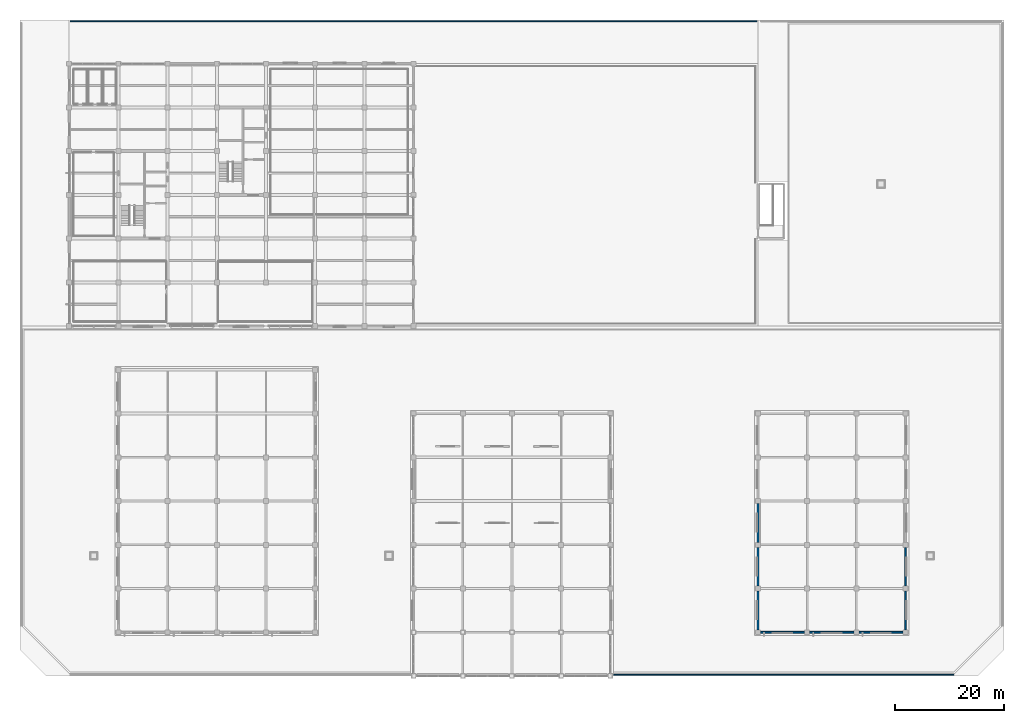
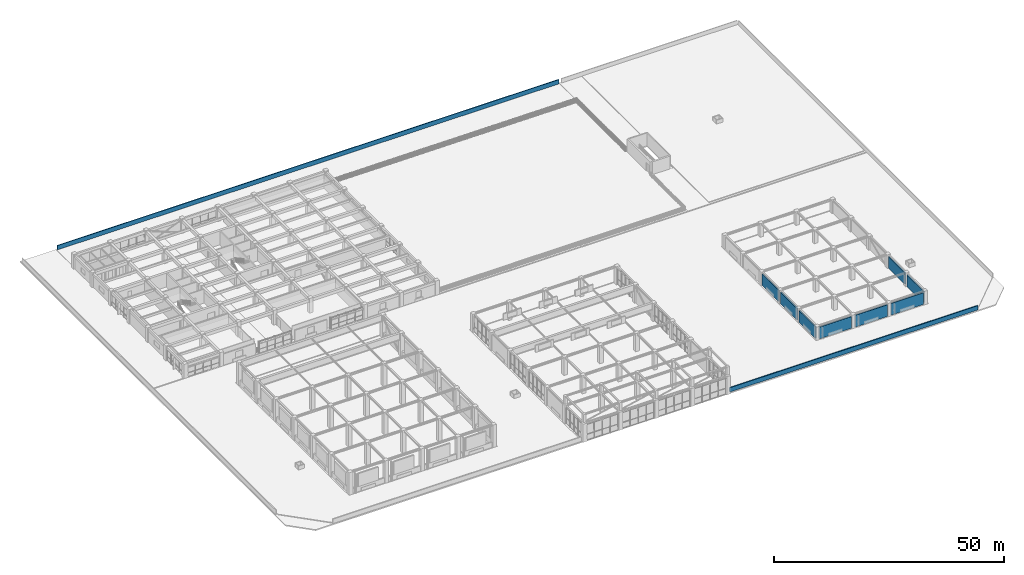
# One storey, part 23 of 34: 10 walls.
"""IFC4 building model written with IfcOpenShell, lengths in metres."""

from ifc_helpers import new_model, si_unit, direction, frame, frame_2d, origin, place, context, subcontext, project, spatial, rectangle, extrude, material, layer, layer_set, type_object, element, save


model = new_model("IFC4")

# Units and contexts
model_context = context("Model", 3, precision=1e-05, world=origin(), true_north=direction((0.0, 1.0)))
body_context = subcontext(model_context, "Body", "Model", "MODEL_VIEW")
ifc_project = project(units=[si_unit("LENGTHUNIT", "METRE"), si_unit("AREAUNIT", "SQUARE_METRE"), si_unit("VOLUMEUNIT", "CUBIC_METRE"), si_unit("PLANEANGLEUNIT", "RADIAN"), si_unit("MASSUNIT", "GRAM", prefix="KILO")], contexts=[model_context])

# Site, building, storey
site_placement = place(None, origin())
site = spatial("IfcSite", under=ifc_project, at=site_placement, CompositionType="ELEMENT")
building_placement = place(site_placement, origin())
building = spatial("IfcBuilding", under=site, at=building_placement, Name="Zaverband Oceanarium and Marine Research Institute", CompositionType="ELEMENT")
storey_placement = place(building_placement, frame((0.0, 0.0, 18.0)))
storey = spatial("IfcBuildingStorey", under=building, at=storey_placement, Name="L04", CompositionType="ELEMENT", Elevation=18.0)

# Walls
ifc_material_1 = material(Name="Concrete C40/50 precast", Category="concrete")
ifc_layer_1 = layer(ifc_material_1, 0.31005859375, Name="Concrete C40/50 precast")
ifc_layer_set_1 = layer_set([ifc_layer_1], Name="Concrete C40/50 precast")
wall_type_1 = type_object("IfcWallType", Name="EW-310", PredefinedType="STANDARD", material=ifc_layer_set_1)
for number, where, z_axis, x_axis, name in (
    (1, (135.4599609375, 8.0, 0.0), (0.0, 0.0, 1.0), (1.0, 0.0, 0.0), "Exterior infill wall EW-310"),
    (2, (144.4599609375, 8.0, 0.0), (0.0, 0.0, 1.0), (1.0, 0.0, 0.0), "Exterior infill wall EW-310"),
    (3, (153.4599609375, 8.0, 0.0), (0.0, 0.0, 1.0), (1.0, 0.0, 0.0), "Exterior infill wall EW-310"),
):
    element("IfcWall", number, at=place(storey_placement, frame(where, z_axis=z_axis, x_axis=x_axis)), inside=storey, type_object=wall_type_1, Name=name, PredefinedType="STANDARD", context=body_context, shape_type="SweptSolid", body=[
        extrude(rectangle(XDim=8.080078125, YDim=0.31005859375, at=frame_2d((4.0400390625, 0.0))), origin(), (0.0, 0.0, 1.0), 3.10009765625),
    ])
for number, where, z_axis, x_axis, name in (
    (4, (135.0, 8.4599609375, 0.0), (0.0, 0.0, 1.0), (0.0, 1.0, 0.0), "Exterior infill wall EW-310"),
    (5, (135.0, 16.4599609375, 0.0), (0.0, 0.0, 1.0), (0.0, 1.0, 0.0), "Exterior infill wall EW-310"),
    (6, (135.0, 24.4599609375, 0.0), (0.0, 0.0, 1.0), (0.0, 1.0, 0.0), "Exterior infill wall EW-310"),
    (7, (162.0, 8.4599609375, 0.0), (0.0, 0.0, 1.0), (0.0, 1.0, 0.0), "Exterior infill wall EW-310"),
    (8, (162.0, 16.4599609375, 0.0), (0.0, 0.0, 1.0), (0.0, 1.0, 0.0), "Exterior infill wall EW-310"),
):
    element("IfcWall", number, at=place(storey_placement, frame(where, z_axis=z_axis, x_axis=x_axis)), inside=storey, type_object=wall_type_1, Name=name, PredefinedType="STANDARD", context=body_context, shape_type="SweptSolid", body=[
        extrude(rectangle(XDim=7.080078125, YDim=0.31005859375, at=frame_2d((3.5400390625, 0.0))), origin(), (0.0, 0.0, 1.0), 3.10009765625),
    ])
ifc_material_2 = material(Name="Concrete C40/50", Category="concrete")
ifc_layer_2 = layer(ifc_material_2, 0.195068359375, Name="Concrete C40/50")
ifc_layer_set_2 = layer_set([ifc_layer_2], Name="Concrete C40/50")
wall_type_2 = type_object("IfcWallType", Name="PAR-195", PredefinedType="PARAPET", material=ifc_layer_set_2)
wall_1_placement = place(storey_placement, frame((9.199951171875, 119.75, 0.0), z_axis=(0.0, 0.0, 1.0), x_axis=(1.0, 0.0, 0.0)))
element("IfcWall", 9, at=wall_1_placement, inside=storey, type_object=wall_type_2, Name="Roof parapet upstand PAR-195", PredefinedType="PARAPET", context=body_context, shape_type="SweptSolid", body=[
    extrude(rectangle(XDim=125.60009765625, YDim=0.195068359375, at=frame_2d((62.800048828125, 0.0))), origin(), (0.0, 0.0, 1.0), 1.14990234375),
])
ifc_layer_3 = layer(ifc_material_2, 0.22998046875, Name="Concrete C40/50")
ifc_layer_set_3 = layer_set([ifc_layer_3], Name="Concrete C40/50")
wall_type_3 = type_object("IfcWallType", Name="PAR-230", PredefinedType="PARAPET", material=ifc_layer_set_3)
wall_2_placement = place(storey_placement, frame((108.60009765625, 0.25, 0.0), z_axis=(0.0, 0.0, 1.0), x_axis=(1.0, 0.0, 0.0)))
element("IfcWall", 10, at=wall_2_placement, inside=storey, type_object=wall_type_3, Name="Roof parapet upstand PAR-230", PredefinedType="PARAPET", context=body_context, shape_type="SweptSolid", body=[
    extrude(rectangle(XDim=62.199951171875, YDim=0.22998046875, at=frame_2d((31.10009765625, 0.0))), origin(), (0.0, 0.0, 1.0), 1.14990234375),
])

save(model, "model.ifc")
